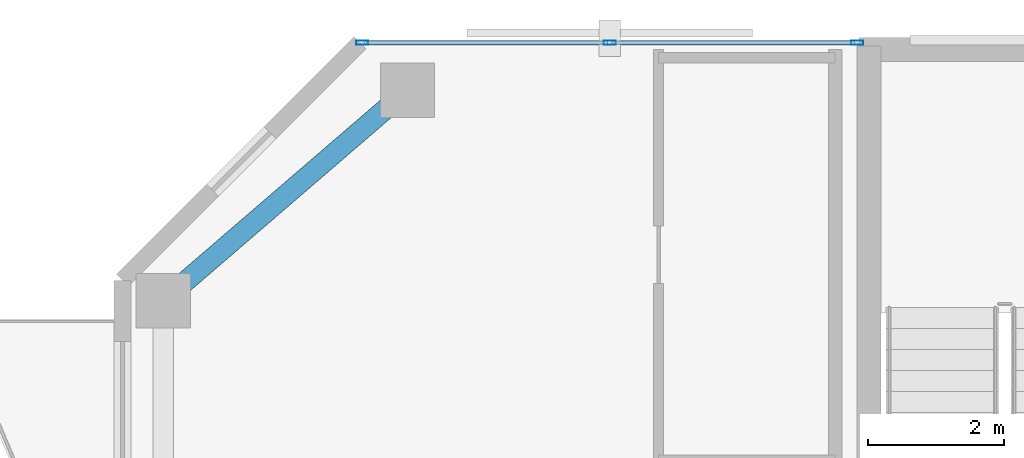
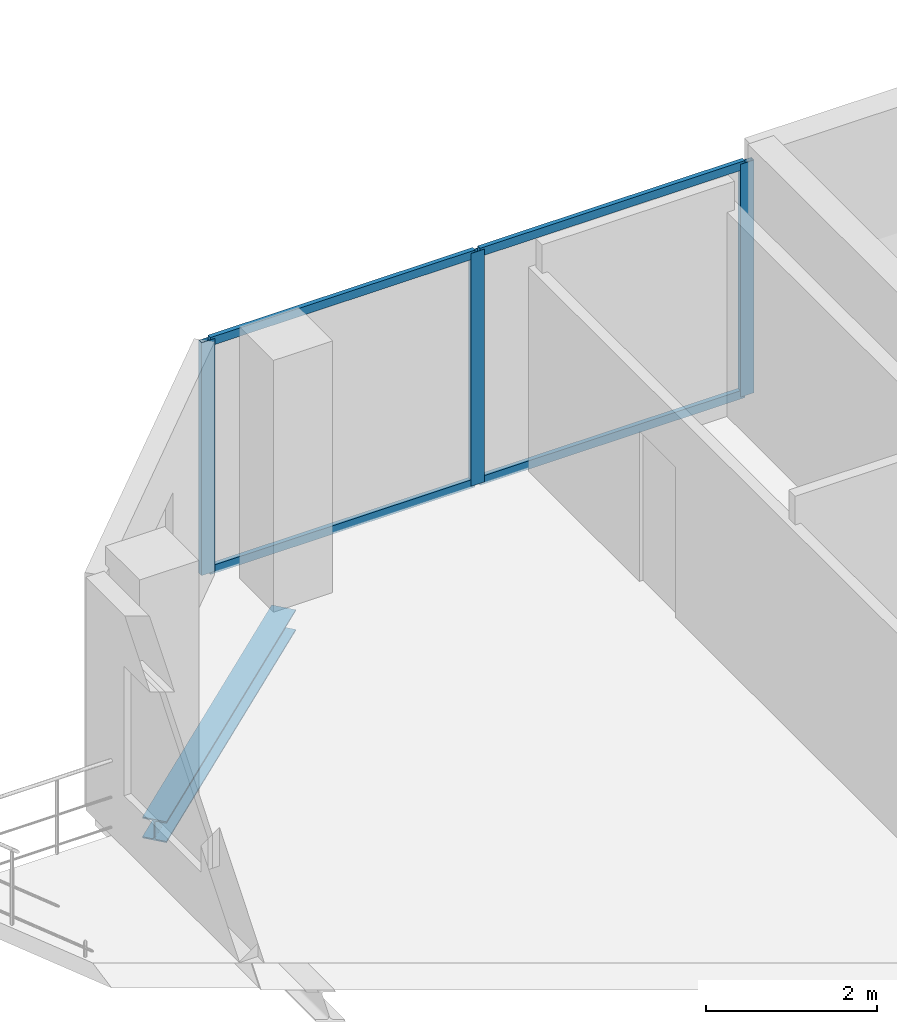
# One storey, part 15 of 23: 7 members, 1 beam, 1 element without a shape of its own.
"""IFC4 building model written with IfcOpenShell, lengths in metres."""

from ifc_helpers import new_model, si_unit, direction, frame, origin, origin_2d, place, context, subcontext, project, spatial, hollow_rectangle, i_section, extrude, material, layer, layer_set, material_profile, profile_set, type_object, element, aggregate, save


model = new_model("IFC4")

# Units and contexts
model_context = context("Model", 3, precision=1e-05, world=origin(), true_north=direction((0.0, 1.0)))
body_context = subcontext(model_context, "Body", "Model", "MODEL_VIEW")
ifc_project = project(units=[si_unit("LENGTHUNIT", "METRE"), si_unit("AREAUNIT", "SQUARE_METRE"), si_unit("VOLUMEUNIT", "CUBIC_METRE"), si_unit("PLANEANGLEUNIT", "RADIAN"), si_unit("MASSUNIT", "GRAM", prefix="KILO")], contexts=[model_context])

# Site, building, storey
site_placement = place(None, origin())
site = spatial("IfcSite", under=ifc_project, at=site_placement, CompositionType="ELEMENT")
building_placement = place(site_placement, origin())
building = spatial("IfcBuilding", under=site, at=building_placement, Name="Catumbela Crestline Tower", CompositionType="ELEMENT")
storey_placement = place(building_placement, frame((0.0, 0.0, 179.4)))
storey = spatial("IfcBuildingStorey", under=building, at=storey_placement, Name="L46", CompositionType="ELEMENT", Elevation=179.4)

# Curtain wall, members
ifc_material_1 = material(Name="Aluminium alloy AW-6060-T66", Category="aluminium")
ifc_layer = layer(ifc_material_1, 0.18, Name="Aluminium alloy AW-6060-T66")
ifc_layer_set = layer_set([ifc_layer], Name="Aluminium alloy AW-6060-T66")
curtain_wall_type = type_object("IfcCurtainWallType", Name="CWU-Z3", PredefinedType="USERDEFINED", material=ifc_layer_set)
curtain_wall_placement = place(storey_placement, origin())
curtain_wall = element("IfcCurtainWall", 1, at=curtain_wall_placement, inside=storey, type_object=curtain_wall_type, Name="L46 Unitised Curtain Wall CW-L46-E7S2", ObjectType="UNITISED", PredefinedType="USERDEFINED")
ifc_material_profile_1 = material_profile(ifc_material_1, hollow_rectangle(XDim=0.065, YDim=0.18, WallThickness=0.004, at=origin_2d()), Name="ALU 180x65x4")
ifc_profile_set_1 = profile_set([ifc_material_profile_1], Name="Aluminium alloy AW-6060-T66")
member_type_1 = type_object("IfcMemberType", Name="MUL-180X65", PredefinedType="MULLION", material=ifc_profile_set_1)
member_1_placement = place(storey_placement, frame((15.8275, 43.0, 0.0), z_axis=(0.0, 0.0, 1.0), x_axis=(0.0, -1.0, 0.0)))
member_1 = element("IfcMember", 2, at=member_1_placement, type_object=member_type_1, Name="CWU-Z3 mullion 1", PredefinedType="MULLION", context=body_context, shape_type="SweptSolid", body=[
    extrude(hollow_rectangle(XDim=0.065, YDim=0.18, WallThickness=0.004, at=origin_2d()), origin(), (0.0, 0.0, 1.0), 3.33),
])
member_2_placement = place(storey_placement, frame((12.18, 43.0, 0.0), z_axis=(0.0, 0.0, 1.0), x_axis=(0.0, -1.0, 0.0)))
member_2 = element("IfcMember", 3, at=member_2_placement, type_object=member_type_1, Name="CWU-Z3 mullion 2", PredefinedType="MULLION", context=body_context, shape_type="SweptSolid", body=[
    extrude(hollow_rectangle(XDim=0.065, YDim=0.18, WallThickness=0.004, at=origin_2d()), origin(), (0.0, 0.0, 1.0), 3.33),
])
member_3_placement = place(storey_placement, frame((8.5325, 43.0, 0.0), z_axis=(0.0, 0.0, 1.0), x_axis=(0.0, -1.0, 0.0)))
member_3 = element("IfcMember", 4, at=member_3_placement, type_object=member_type_1, Name="CWU-Z3 mullion 3", PredefinedType="MULLION", context=body_context, shape_type="SweptSolid", body=[
    extrude(hollow_rectangle(XDim=0.065, YDim=0.18, WallThickness=0.004, at=origin_2d()), origin(), (0.0, 0.0, 1.0), 3.33),
])

# Beam
ifc_material_2 = material(Name="Structural steel S355J2", Category="steel")
ifc_material_profile_2 = material_profile(ifc_material_2, i_section(OverallWidth=0.3, OverallDepth=0.3, WebThickness=0.011, FlangeThickness=0.019, FilletRadius=0.027, at=origin_2d()), Name="HEB 300")
ifc_profile_set_2 = profile_set([ifc_material_profile_2], Name="Structural steel S355J2")
beam_type = type_object("IfcBeamType", Name="BS-HEB300", PredefinedType="SPANDREL", material=ifc_profile_set_2)
beam_placement = place(storey_placement, frame((5.6606, 39.2522, -0.41), z_axis=(0.757772392559, 0.652518966066, 0.0), x_axis=(-0.652518966066, 0.757772392559, 0.0)))
element("IfcBeam", 5, at=beam_placement, inside=storey, type_object=beam_type, Name="L46 Spandrel SP-L46-N10", PredefinedType="SPANDREL", context=body_context, shape_type="SweptSolid", body=[
    extrude(i_section(OverallWidth=0.3, OverallDepth=0.3, WebThickness=0.011, FlangeThickness=0.019, FilletRadius=0.027, at=origin_2d()), origin(), (0.0, 0.0, 1.0), 4.5908),
])

# Member
ifc_material_profile_3 = material_profile(ifc_material_1, hollow_rectangle(XDim=0.06, YDim=0.12, WallThickness=0.0035, at=origin_2d()), Name="ALU 120x60x3.5")
ifc_profile_set_3 = profile_set([ifc_material_profile_3], Name="Aluminium alloy AW-6060-T66")
member_type_2 = type_object("IfcMemberType", Name="TRN-120X60", PredefinedType="USERDEFINED", material=ifc_profile_set_3)
member_4_placement = place(storey_placement, frame((15.795, 43.0, 0.03), z_axis=(-1.0, 0.0, 0.0), x_axis=(0.0, -1.0, 0.0)))
member_4 = element("IfcMember", 6, at=member_4_placement, type_object=member_type_2, Name="CWU-Z3 transom 1.1", ObjectType="TRANSOM", PredefinedType="USERDEFINED", context=body_context, shape_type="SweptSolid", body=[
    extrude(hollow_rectangle(XDim=0.06, YDim=0.12, WallThickness=0.0035, at=origin_2d()), origin(), (0.0, 0.0, 1.0), 3.5825),
])

member_5_placement = place(storey_placement, frame((15.795, 43.0, 3.3), z_axis=(-1.0, 0.0, 0.0), x_axis=(0.0, -1.0, 0.0)))
member_5 = element("IfcMember", 7, at=member_5_placement, type_object=member_type_2, Name="CWU-Z3 transom 1.2", ObjectType="TRANSOM", PredefinedType="USERDEFINED", context=body_context, shape_type="SweptSolid", body=[
    extrude(hollow_rectangle(XDim=0.06, YDim=0.12, WallThickness=0.0035, at=origin_2d()), origin(), (0.0, 0.0, 1.0), 3.5825),
])

member_6_placement = place(storey_placement, frame((12.1475, 43.0, 0.03), z_axis=(-1.0, 0.0, 0.0), x_axis=(0.0, -1.0, 0.0)))
member_6 = element("IfcMember", 8, at=member_6_placement, type_object=member_type_2, Name="CWU-Z3 transom 2.1", ObjectType="TRANSOM", PredefinedType="USERDEFINED", context=body_context, shape_type="SweptSolid", body=[
    extrude(hollow_rectangle(XDim=0.06, YDim=0.12, WallThickness=0.0035, at=origin_2d()), origin(), (0.0, 0.0, 1.0), 3.5825),
])

member_7_placement = place(storey_placement, frame((12.1475, 43.0, 3.3), z_axis=(-1.0, 0.0, 0.0), x_axis=(0.0, -1.0, 0.0)))
member_7 = element("IfcMember", 9, at=member_7_placement, type_object=member_type_2, Name="CWU-Z3 transom 2.2", ObjectType="TRANSOM", PredefinedType="USERDEFINED", context=body_context, shape_type="SweptSolid", body=[
    extrude(hollow_rectangle(XDim=0.06, YDim=0.12, WallThickness=0.0035, at=origin_2d()), origin(), (0.0, 0.0, 1.0), 3.5825),
])

aggregate(curtain_wall, [member_1, member_2, member_3, member_4, member_5, member_6, member_7])

save(model, "model.ifc")
